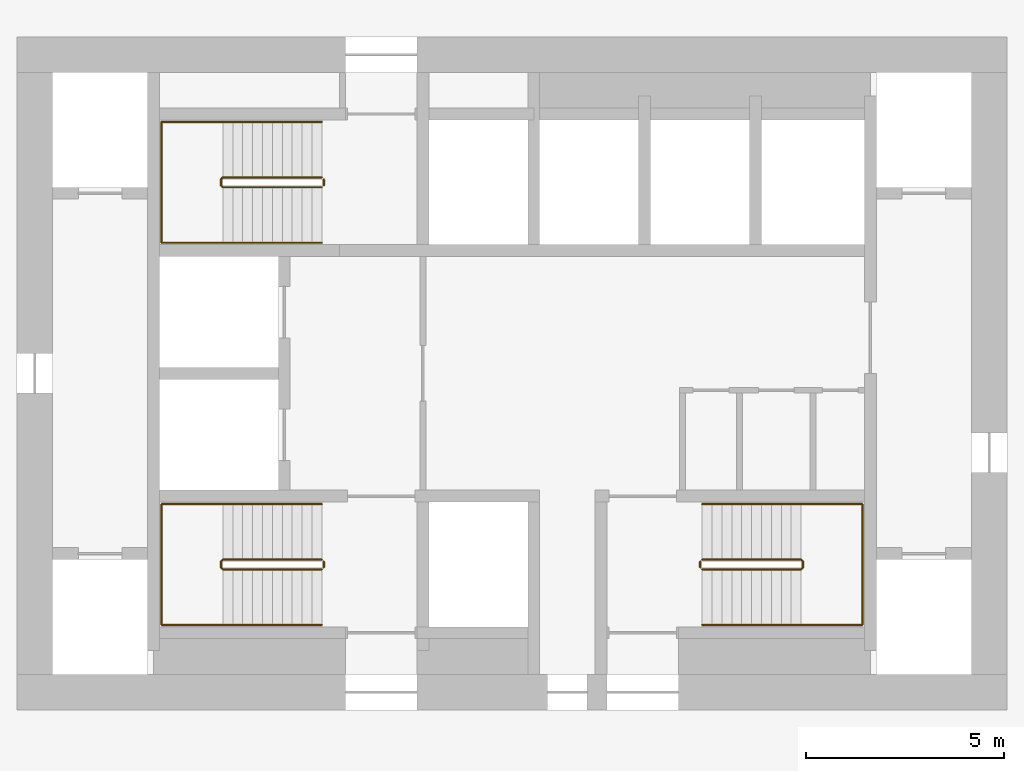
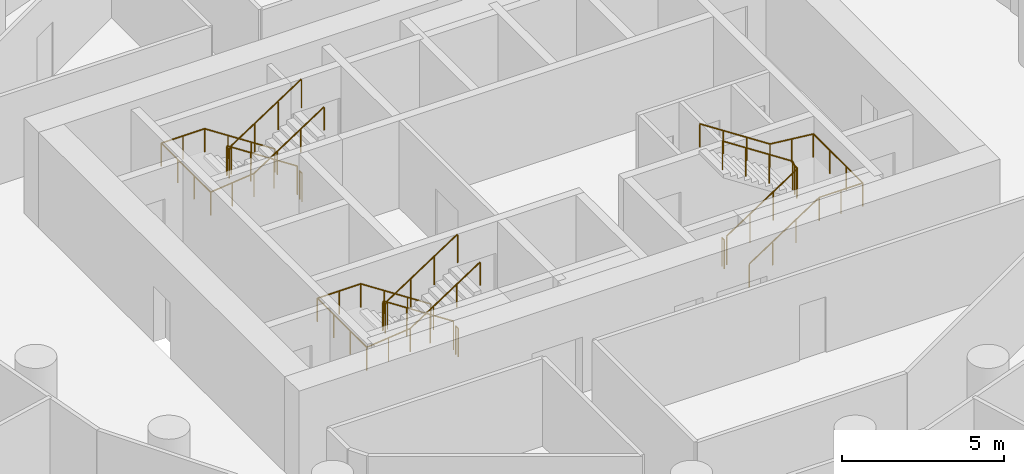
# One storey, part 10 of 10: 9 railings.
"""IFC4 building model written with IfcOpenShell, lengths in metres."""

from ifc_helpers import new_model, si_unit, direction, frame, origin, origin_2d, place, context, subcontext, project, spatial, circle, extrude, material, type_object, element, save


model = new_model("IFC4")

# Units and contexts
model_context = context("Model", 3, precision=1e-05, world=origin(), true_north=direction((0.0, 1.0)))
body_context = subcontext(model_context, "Body", "Model", "MODEL_VIEW")
ifc_project = project(units=[si_unit("LENGTHUNIT", "METRE"), si_unit("AREAUNIT", "SQUARE_METRE"), si_unit("VOLUMEUNIT", "CUBIC_METRE"), si_unit("PLANEANGLEUNIT", "RADIAN"), si_unit("MASSUNIT", "GRAM", prefix="KILO")], contexts=[model_context])

# Site, building, storey
site_placement = place(None, origin())
site = spatial("IfcSite", under=ifc_project, at=site_placement, CompositionType="ELEMENT")
building_placement = place(site_placement, origin())
building = spatial("IfcBuilding", under=site, at=building_placement, Name="Tracery Tower", CompositionType="ELEMENT")
storey_placement = place(building_placement, frame((0.0, 0.0, 158.39990234375)))
storey = spatial("IfcBuildingStorey", under=building, at=storey_placement, Name="L40", CompositionType="ELEMENT", Elevation=158.39990234375)

# Railings
ifc_material_1 = material(Name="Stainless steel and laminated glass", Category="steel")
railing_type_1 = type_object("IfcRailingType", Name="Stair guard 1100", PredefinedType="GUARDRAIL", material=ifc_material_1)
railing_1_placement = place(storey_placement, frame((-4.800048828125, -4.699951171875, 0.163818359375)))
element("IfcRailing", 1, at=railing_1_placement, inside=storey, type_object=railing_type_1, Name="L40 stair ST1 guard 1", PredefinedType="GUARDRAIL", context=body_context, shape_type="SweptSolid", body=[
    extrude(circle(Radius=0.02392578125, at=origin_2d()), frame((0.0, 0.0, 1.076171875), z_axis=(-0.836721939367, 0.0, 0.547627972425), x_axis=(0.0, -1.0, 0.0)), (0.0, 0.0, 1.0), 2.98779296875),
    extrude(circle(Radius=0.02392578125, at=origin_2d()), frame((-2.5, 0.0, 2.71240234375), z_axis=(-0.707106781187, -0.707106781187, 0.0), x_axis=(0.707106781187, -0.707106781187, 0.0)), (0.0, 0.0, 1.0), 0.07080078125),
    extrude(circle(Radius=0.02392578125, at=origin_2d()), frame((-2.550048828125, -0.050048828125, 2.71240234375), z_axis=(0.0, -1.0, 0.0), x_axis=(1.0, 0.0, 0.0)), (0.0, 0.0, 1.0), 0.14990234375),
    extrude(circle(Radius=0.02392578125, at=origin_2d()), frame((-2.550048828125, -0.199951171875, 2.71240234375), z_axis=(0.280808744504, -0.280808744504, 0.917765164963), x_axis=(0.707106781187, 0.707106781187, 0.0)), (0.0, 0.0, 1.0), 0.17822265625),
    extrude(circle(Radius=0.02392578125, at=origin_2d()), frame((-2.5, -0.25, 2.8759765625), z_axis=(0.83668449804, 0.0, 0.54768517484), x_axis=(0.0, 1.0, 0.0)), (0.0, 0.0, 1.0), 2.988037109375),
    extrude(circle(Radius=0.02099609375, at=origin_2d()), origin(), (0.0, 0.0, 1.0), 1.052001953125),
    extrude(circle(Radius=0.02099609375, at=origin_2d()), frame((-0.833251953125, 0.0, 0.54541015625)), (0.0, 0.0, 1.0), 1.052001953125),
    extrude(circle(Radius=0.02099609375, at=origin_2d()), frame((-1.666748046875, 0.0, 1.0908203125)), (0.0, 0.0, 1.0), 1.052001953125),
    extrude(circle(Radius=0.02099609375, at=origin_2d()), frame((-2.5, 0.0, 1.63623046875)), (0.0, 0.0, 1.0), 1.052001953125),
    extrude(circle(Radius=0.02099609375, at=origin_2d()), frame((-2.550048828125, -0.050048828125, 1.63623046875)), (0.0, 0.0, 1.0), 1.052001953125),
    extrude(circle(Radius=0.02099609375, at=origin_2d()), frame((-2.550048828125, -0.199951171875, 1.63623046875)), (0.0, 0.0, 1.0), 1.052001953125),
    extrude(circle(Radius=0.02099609375, at=origin_2d()), frame((-2.5, -0.25, 1.7998046875)), (0.0, 0.0, 1.0), 1.052001953125),
    extrude(circle(Radius=0.02099609375, at=origin_2d()), frame((-1.666748046875, -0.25, 2.34521484375)), (0.0, 0.0, 1.0), 1.052001953125),
    extrude(circle(Radius=0.02099609375, at=origin_2d()), frame((-0.833251953125, -0.25, 2.890869140625)), (0.0, 0.0, 1.0), 1.052001953125),
    extrude(circle(Radius=0.02099609375, at=origin_2d()), frame((0.0, -0.25, 3.436279296875)), (0.0, 0.0, 1.0), 1.052001953125),
])
railing_2_placement = place(storey_placement, frame((-4.75, -4.75, 0.0)))
element("IfcRailing", 2, at=railing_2_placement, inside=storey, type_object=railing_type_1, Name="L40 stair ST1 guard 2", PredefinedType="GUARDRAIL", context=body_context, shape_type="SweptSolid", body=[
    extrude(circle(Radius=0.02392578125, at=origin_2d()), frame((0.0, 0.0, 1.076171875), z_axis=(0.0, -1.0, 0.0), x_axis=(1.0, 0.0, 0.0)), (0.0, 0.0, 1.0), 0.14990234375),
    extrude(circle(Radius=0.02099609375, at=origin_2d()), origin(), (0.0, 0.0, 1.0), 1.052001953125),
    extrude(circle(Radius=0.02099609375, at=origin_2d()), frame((0.0, -0.14990234375, 0.0)), (0.0, 0.0, 1.0), 1.052001953125),
])
railing_3_placement = place(storey_placement, frame((-4.800048828125, 4.949951171875, 0.163818359375)))
element("IfcRailing", 3, at=railing_3_placement, inside=storey, type_object=railing_type_1, Name="L40 stair ST3 guard 1", PredefinedType="GUARDRAIL", context=body_context, shape_type="SweptSolid", body=[
    extrude(circle(Radius=0.02392578125, at=origin_2d()), frame((0.0, 0.0, 1.076171875), z_axis=(-0.836721939367, 0.0, 0.547627972425), x_axis=(0.0, -1.0, 0.0)), (0.0, 0.0, 1.0), 2.98779296875),
    extrude(circle(Radius=0.02392578125, at=origin_2d()), frame((-2.5, 0.0, 2.71240234375), z_axis=(-0.707106781187, -0.707106781187, 0.0), x_axis=(0.707106781187, -0.707106781187, 0.0)), (0.0, 0.0, 1.0), 0.07080078125),
    extrude(circle(Radius=0.02392578125, at=origin_2d()), frame((-2.550048828125, -0.050048828125, 2.71240234375), z_axis=(0.0, -1.0, 0.0), x_axis=(1.0, 0.0, 0.0)), (0.0, 0.0, 1.0), 0.14990234375),
    extrude(circle(Radius=0.02392578125, at=origin_2d()), frame((-2.550048828125, -0.199951171875, 2.71240234375), z_axis=(0.280808744504, -0.280808744504, 0.917765164963), x_axis=(0.707106781187, 0.707106781187, 0.0)), (0.0, 0.0, 1.0), 0.17822265625),
    extrude(circle(Radius=0.02392578125, at=origin_2d()), frame((-2.5, -0.25, 2.8759765625), z_axis=(0.83668449804, 0.0, 0.54768517484), x_axis=(0.0, 1.0, 0.0)), (0.0, 0.0, 1.0), 2.988037109375),
    extrude(circle(Radius=0.02099609375, at=origin_2d()), origin(), (0.0, 0.0, 1.0), 1.052001953125),
    extrude(circle(Radius=0.02099609375, at=origin_2d()), frame((-0.833251953125, 0.0, 0.54541015625)), (0.0, 0.0, 1.0), 1.052001953125),
    extrude(circle(Radius=0.02099609375, at=origin_2d()), frame((-1.666748046875, 0.0, 1.0908203125)), (0.0, 0.0, 1.0), 1.052001953125),
    extrude(circle(Radius=0.02099609375, at=origin_2d()), frame((-2.5, 0.0, 1.63623046875)), (0.0, 0.0, 1.0), 1.052001953125),
    extrude(circle(Radius=0.02099609375, at=origin_2d()), frame((-2.550048828125, -0.050048828125, 1.63623046875)), (0.0, 0.0, 1.0), 1.052001953125),
    extrude(circle(Radius=0.02099609375, at=origin_2d()), frame((-2.550048828125, -0.199951171875, 1.63623046875)), (0.0, 0.0, 1.0), 1.052001953125),
    extrude(circle(Radius=0.02099609375, at=origin_2d()), frame((-2.5, -0.25, 1.7998046875)), (0.0, 0.0, 1.0), 1.052001953125),
    extrude(circle(Radius=0.02099609375, at=origin_2d()), frame((-1.666748046875, -0.25, 2.34521484375)), (0.0, 0.0, 1.0), 1.052001953125),
    extrude(circle(Radius=0.02099609375, at=origin_2d()), frame((-0.833251953125, -0.25, 2.890869140625)), (0.0, 0.0, 1.0), 1.052001953125),
    extrude(circle(Radius=0.02099609375, at=origin_2d()), frame((0.0, -0.25, 3.436279296875)), (0.0, 0.0, 1.0), 1.052001953125),
])
railing_4_placement = place(storey_placement, frame((-4.75, 4.89990234375, 0.0)))
element("IfcRailing", 4, at=railing_4_placement, inside=storey, type_object=railing_type_1, Name="L40 stair ST3 guard 2", PredefinedType="GUARDRAIL", context=body_context, shape_type="SweptSolid", body=[
    extrude(circle(Radius=0.02392578125, at=origin_2d()), frame((0.0, 0.0, 1.076171875), z_axis=(0.0, -1.0, 0.0), x_axis=(1.0, 0.0, 0.0)), (0.0, 0.0, 1.0), 0.14990234375),
    extrude(circle(Radius=0.02099609375, at=origin_2d()), origin(), (0.0, 0.0, 1.0), 1.052001953125),
    extrude(circle(Radius=0.02099609375, at=origin_2d()), frame((0.0, -0.14990234375, 0.0)), (0.0, 0.0, 1.0), 1.052001953125),
])
railing_5_placement = place(storey_placement, frame((4.800048828125, -4.949951171875, 0.163818359375)))
element("IfcRailing", 5, at=railing_5_placement, inside=storey, type_object=railing_type_1, Name="L40 stair ST2 guard 1", PredefinedType="GUARDRAIL", context=body_context, shape_type="SweptSolid", body=[
    extrude(circle(Radius=0.02392578125, at=origin_2d()), frame((0.0, 0.0, 1.076171875), z_axis=(0.836721939367, 0.0, 0.547627972425), x_axis=(0.0, 1.0, 0.0)), (0.0, 0.0, 1.0), 2.98779296875),
    extrude(circle(Radius=0.02392578125, at=origin_2d()), frame((2.5, 0.0, 2.71240234375), z_axis=(0.707106781187, 0.707106781187, 0.0), x_axis=(-0.707106781187, 0.707106781187, 0.0)), (0.0, 0.0, 1.0), 0.07080078125),
    extrude(circle(Radius=0.02392578125, at=origin_2d()), frame((2.550048828125, 0.050048828125, 2.71240234375), z_axis=(0.0, 1.0, 0.0), x_axis=(-1.0, 0.0, 0.0)), (0.0, 0.0, 1.0), 0.14990234375),
    extrude(circle(Radius=0.02392578125, at=origin_2d()), frame((2.550048828125, 0.199951171875, 2.71240234375), z_axis=(-0.280808744504, 0.280808744504, 0.917765164963), x_axis=(-0.707106781187, -0.707106781187, 0.0)), (0.0, 0.0, 1.0), 0.17822265625),
    extrude(circle(Radius=0.02392578125, at=origin_2d()), frame((2.5, 0.25, 2.8759765625), z_axis=(-0.83668449804, 0.0, 0.54768517484), x_axis=(0.0, -1.0, 0.0)), (0.0, 0.0, 1.0), 2.988037109375),
    extrude(circle(Radius=0.02099609375, at=origin_2d()), origin(), (0.0, 0.0, 1.0), 1.052001953125),
    extrude(circle(Radius=0.02099609375, at=origin_2d()), frame((0.833251953125, 0.0, 0.54541015625)), (0.0, 0.0, 1.0), 1.052001953125),
    extrude(circle(Radius=0.02099609375, at=origin_2d()), frame((1.666748046875, 0.0, 1.0908203125)), (0.0, 0.0, 1.0), 1.052001953125),
    extrude(circle(Radius=0.02099609375, at=origin_2d()), frame((2.5, 0.0, 1.63623046875)), (0.0, 0.0, 1.0), 1.052001953125),
    extrude(circle(Radius=0.02099609375, at=origin_2d()), frame((2.550048828125, 0.050048828125, 1.63623046875)), (0.0, 0.0, 1.0), 1.052001953125),
    extrude(circle(Radius=0.02099609375, at=origin_2d()), frame((2.550048828125, 0.199951171875, 1.63623046875)), (0.0, 0.0, 1.0), 1.052001953125),
    extrude(circle(Radius=0.02099609375, at=origin_2d()), frame((2.5, 0.25, 1.7998046875)), (0.0, 0.0, 1.0), 1.052001953125),
    extrude(circle(Radius=0.02099609375, at=origin_2d()), frame((1.666748046875, 0.25, 2.34521484375)), (0.0, 0.0, 1.0), 1.052001953125),
    extrude(circle(Radius=0.02099609375, at=origin_2d()), frame((0.833251953125, 0.25, 2.890869140625)), (0.0, 0.0, 1.0), 1.052001953125),
    extrude(circle(Radius=0.02099609375, at=origin_2d()), frame((0.0, 0.25, 3.436279296875)), (0.0, 0.0, 1.0), 1.052001953125),
])
railing_6_placement = place(storey_placement, frame((4.75, -4.89990234375, 0.0)))
element("IfcRailing", 6, at=railing_6_placement, inside=storey, type_object=railing_type_1, Name="L40 stair ST2 guard 2", PredefinedType="GUARDRAIL", context=body_context, shape_type="SweptSolid", body=[
    extrude(circle(Radius=0.02392578125, at=origin_2d()), frame((0.0, 0.0, 1.076171875), z_axis=(0.0, 1.0, 0.0), x_axis=(-1.0, 0.0, 0.0)), (0.0, 0.0, 1.0), 0.14990234375),
    extrude(circle(Radius=0.02099609375, at=origin_2d()), origin(), (0.0, 0.0, 1.0), 1.052001953125),
    extrude(circle(Radius=0.02099609375, at=origin_2d()), frame((0.0, 0.14990234375, 0.0)), (0.0, 0.0, 1.0), 1.052001953125),
])
ifc_material_2 = material(Name="Stainless steel and laminated glass", Category="steel")
railing_type_2 = type_object("IfcRailingType", Name="Stair handrail 900", PredefinedType="HANDRAIL", material=ifc_material_2)
railing_7_placement = place(storey_placement, frame((-4.800048828125, -3.300048828125, 0.163818359375)))
element("IfcRailing", 7, at=railing_7_placement, inside=storey, type_object=railing_type_2, Name="L40 stair ST1 handrail 1", PredefinedType="HANDRAIL", context=body_context, shape_type="SweptSolid", body=[
    extrude(circle(Radius=0.02392578125, at=origin_2d()), frame((0.0, 0.0, 0.8759765625), z_axis=(-0.836721939367, 0.0, 0.547627972425), x_axis=(0.0, -1.0, 0.0)), (0.0, 0.0, 1.0), 2.98779296875),
    extrude(circle(Radius=0.02392578125, at=origin_2d()), frame((-2.5, 0.0, 2.51220703125), z_axis=(-1.0, 0.0, 0.0), x_axis=(0.0, -1.0, 0.0)), (0.0, 0.0, 1.0), 1.550048828125),
    extrude(circle(Radius=0.02392578125, at=origin_2d()), frame((-4.050048828125, 0.0, 2.51220703125), z_axis=(0.0, -1.0, 0.0), x_axis=(1.0, 0.0, 0.0)), (0.0, 0.0, 1.0), 3.050048828125),
    extrude(circle(Radius=0.02392578125, at=origin_2d()), frame((-4.050048828125, -3.050048828125, 2.51220703125), z_axis=(0.994477953863, 0.0, 0.104945696817), x_axis=(0.0, 1.0, 0.0)), (0.0, 0.0, 1.0), 1.55859375),
    extrude(circle(Radius=0.02392578125, at=origin_2d()), frame((-2.5, -3.050048828125, 2.67578125), z_axis=(0.83668449804, 0.0, 0.54768517484), x_axis=(0.0, 1.0, 0.0)), (0.0, 0.0, 1.0), 2.988037109375),
    extrude(circle(Radius=0.02099609375, at=origin_2d()), origin(), (0.0, 0.0, 1.0), 0.851806640625),
    extrude(circle(Radius=0.02099609375, at=origin_2d()), frame((-0.833251953125, 0.0, 0.54541015625)), (0.0, 0.0, 1.0), 0.851806640625),
    extrude(circle(Radius=0.02099609375, at=origin_2d()), frame((-1.666748046875, 0.0, 1.0908203125)), (0.0, 0.0, 1.0), 0.851806640625),
    extrude(circle(Radius=0.02099609375, at=origin_2d()), frame((-2.5, 0.0, 1.63623046875)), (0.0, 0.0, 1.0), 0.851806640625),
    extrude(circle(Radius=0.02099609375, at=origin_2d()), frame((-3.27490234375, 0.0, 1.63623046875)), (0.0, 0.0, 1.0), 0.851806640625),
    extrude(circle(Radius=0.02099609375, at=origin_2d()), frame((-4.050048828125, 0.0, 1.63623046875)), (0.0, 0.0, 1.0), 0.851806640625),
    extrude(circle(Radius=0.02099609375, at=origin_2d()), frame((-4.050048828125, -1.0166015625, 1.63623046875)), (0.0, 0.0, 1.0), 0.851806640625),
    extrude(circle(Radius=0.02099609375, at=origin_2d()), frame((-4.050048828125, -2.033447265625, 1.63623046875)), (0.0, 0.0, 1.0), 0.851806640625),
    extrude(circle(Radius=0.02099609375, at=origin_2d()), frame((-4.050048828125, -3.050048828125, 1.63623046875)), (0.0, 0.0, 1.0), 0.851806640625),
    extrude(circle(Radius=0.02099609375, at=origin_2d()), frame((-3.27490234375, -3.050048828125, 1.718017578125)), (0.0, 0.0, 1.0), 0.851806640625),
    extrude(circle(Radius=0.02099609375, at=origin_2d()), frame((-2.5, -3.050048828125, 1.7998046875)), (0.0, 0.0, 1.0), 0.851806640625),
    extrude(circle(Radius=0.02099609375, at=origin_2d()), frame((-1.666748046875, -3.050048828125, 2.34521484375)), (0.0, 0.0, 1.0), 0.851806640625),
    extrude(circle(Radius=0.02099609375, at=origin_2d()), frame((-0.833251953125, -3.050048828125, 2.890869140625)), (0.0, 0.0, 1.0), 0.851806640625),
    extrude(circle(Radius=0.02099609375, at=origin_2d()), frame((0.0, -3.050048828125, 3.436279296875)), (0.0, 0.0, 1.0), 0.851806640625),
])
railing_8_placement = place(storey_placement, frame((-4.800048828125, 6.35009765625, 0.163818359375)))
element("IfcRailing", 8, at=railing_8_placement, inside=storey, type_object=railing_type_2, Name="L40 stair ST3 handrail 1", PredefinedType="HANDRAIL", context=body_context, shape_type="SweptSolid", body=[
    extrude(circle(Radius=0.02392578125, at=origin_2d()), frame((0.0, 0.0, 0.8759765625), z_axis=(-0.836721939367, 0.0, 0.547627972425), x_axis=(0.0, -1.0, 0.0)), (0.0, 0.0, 1.0), 2.98779296875),
    extrude(circle(Radius=0.02392578125, at=origin_2d()), frame((-2.5, 0.0, 2.51220703125), z_axis=(-1.0, 0.0, 0.0), x_axis=(0.0, -1.0, 0.0)), (0.0, 0.0, 1.0), 1.550048828125),
    extrude(circle(Radius=0.02392578125, at=origin_2d()), frame((-4.050048828125, 0.0, 2.51220703125), z_axis=(0.0, -1.0, 0.0), x_axis=(1.0, 0.0, 0.0)), (0.0, 0.0, 1.0), 3.050048828125),
    extrude(circle(Radius=0.02392578125, at=origin_2d()), frame((-4.050048828125, -3.050048828125, 2.51220703125), z_axis=(0.994477953863, 0.0, 0.104945696817), x_axis=(0.0, 1.0, 0.0)), (0.0, 0.0, 1.0), 1.55859375),
    extrude(circle(Radius=0.02392578125, at=origin_2d()), frame((-2.5, -3.050048828125, 2.67578125), z_axis=(0.83668449804, 0.0, 0.54768517484), x_axis=(0.0, 1.0, 0.0)), (0.0, 0.0, 1.0), 2.988037109375),
    extrude(circle(Radius=0.02099609375, at=origin_2d()), origin(), (0.0, 0.0, 1.0), 0.851806640625),
    extrude(circle(Radius=0.02099609375, at=origin_2d()), frame((-0.833251953125, 0.0, 0.54541015625)), (0.0, 0.0, 1.0), 0.851806640625),
    extrude(circle(Radius=0.02099609375, at=origin_2d()), frame((-1.666748046875, 0.0, 1.0908203125)), (0.0, 0.0, 1.0), 0.851806640625),
    extrude(circle(Radius=0.02099609375, at=origin_2d()), frame((-2.5, 0.0, 1.63623046875)), (0.0, 0.0, 1.0), 0.851806640625),
    extrude(circle(Radius=0.02099609375, at=origin_2d()), frame((-3.27490234375, 0.0, 1.63623046875)), (0.0, 0.0, 1.0), 0.851806640625),
    extrude(circle(Radius=0.02099609375, at=origin_2d()), frame((-4.050048828125, 0.0, 1.63623046875)), (0.0, 0.0, 1.0), 0.851806640625),
    extrude(circle(Radius=0.02099609375, at=origin_2d()), frame((-4.050048828125, -1.0166015625, 1.63623046875)), (0.0, 0.0, 1.0), 0.851806640625),
    extrude(circle(Radius=0.02099609375, at=origin_2d()), frame((-4.050048828125, -2.033447265625, 1.63623046875)), (0.0, 0.0, 1.0), 0.851806640625),
    extrude(circle(Radius=0.02099609375, at=origin_2d()), frame((-4.050048828125, -3.050048828125, 1.63623046875)), (0.0, 0.0, 1.0), 0.851806640625),
    extrude(circle(Radius=0.02099609375, at=origin_2d()), frame((-3.27490234375, -3.050048828125, 1.718017578125)), (0.0, 0.0, 1.0), 0.851806640625),
    extrude(circle(Radius=0.02099609375, at=origin_2d()), frame((-2.5, -3.050048828125, 1.7998046875)), (0.0, 0.0, 1.0), 0.851806640625),
    extrude(circle(Radius=0.02099609375, at=origin_2d()), frame((-1.666748046875, -3.050048828125, 2.34521484375)), (0.0, 0.0, 1.0), 0.851806640625),
    extrude(circle(Radius=0.02099609375, at=origin_2d()), frame((-0.833251953125, -3.050048828125, 2.890869140625)), (0.0, 0.0, 1.0), 0.851806640625),
    extrude(circle(Radius=0.02099609375, at=origin_2d()), frame((0.0, -3.050048828125, 3.436279296875)), (0.0, 0.0, 1.0), 0.851806640625),
])
railing_9_placement = place(storey_placement, frame((4.800048828125, -6.35009765625, 0.163818359375)))
element("IfcRailing", 9, at=railing_9_placement, inside=storey, type_object=railing_type_2, Name="L40 stair ST2 handrail 1", PredefinedType="HANDRAIL", context=body_context, shape_type="SweptSolid", body=[
    extrude(circle(Radius=0.02392578125, at=origin_2d()), frame((0.0, 0.0, 0.8759765625), z_axis=(0.836721939367, 0.0, 0.547627972425), x_axis=(0.0, 1.0, 0.0)), (0.0, 0.0, 1.0), 2.98779296875),
    extrude(circle(Radius=0.02392578125, at=origin_2d()), frame((2.5, 0.0, 2.51220703125), z_axis=(1.0, 0.0, 0.0), x_axis=(0.0, 1.0, 0.0)), (0.0, 0.0, 1.0), 1.550048828125),
    extrude(circle(Radius=0.02392578125, at=origin_2d()), frame((4.050048828125, 0.0, 2.51220703125), z_axis=(0.0, 1.0, 0.0), x_axis=(-1.0, 0.0, 0.0)), (0.0, 0.0, 1.0), 3.050048828125),
    extrude(circle(Radius=0.02392578125, at=origin_2d()), frame((4.050048828125, 3.050048828125, 2.51220703125), z_axis=(-0.994477953863, 0.0, 0.104945696817), x_axis=(0.0, -1.0, 0.0)), (0.0, 0.0, 1.0), 1.55859375),
    extrude(circle(Radius=0.02392578125, at=origin_2d()), frame((2.5, 3.050048828125, 2.67578125), z_axis=(-0.83668449804, 0.0, 0.54768517484), x_axis=(0.0, -1.0, 0.0)), (0.0, 0.0, 1.0), 2.988037109375),
    extrude(circle(Radius=0.02099609375, at=origin_2d()), origin(), (0.0, 0.0, 1.0), 0.851806640625),
    extrude(circle(Radius=0.02099609375, at=origin_2d()), frame((0.833251953125, 0.0, 0.54541015625)), (0.0, 0.0, 1.0), 0.851806640625),
    extrude(circle(Radius=0.02099609375, at=origin_2d()), frame((1.666748046875, 0.0, 1.0908203125)), (0.0, 0.0, 1.0), 0.851806640625),
    extrude(circle(Radius=0.02099609375, at=origin_2d()), frame((2.5, 0.0, 1.63623046875)), (0.0, 0.0, 1.0), 0.851806640625),
    extrude(circle(Radius=0.02099609375, at=origin_2d()), frame((3.27490234375, 0.0, 1.63623046875)), (0.0, 0.0, 1.0), 0.851806640625),
    extrude(circle(Radius=0.02099609375, at=origin_2d()), frame((4.050048828125, 0.0, 1.63623046875)), (0.0, 0.0, 1.0), 0.851806640625),
    extrude(circle(Radius=0.02099609375, at=origin_2d()), frame((4.050048828125, 1.0166015625, 1.63623046875)), (0.0, 0.0, 1.0), 0.851806640625),
    extrude(circle(Radius=0.02099609375, at=origin_2d()), frame((4.050048828125, 2.033447265625, 1.63623046875)), (0.0, 0.0, 1.0), 0.851806640625),
    extrude(circle(Radius=0.02099609375, at=origin_2d()), frame((4.050048828125, 3.050048828125, 1.63623046875)), (0.0, 0.0, 1.0), 0.851806640625),
    extrude(circle(Radius=0.02099609375, at=origin_2d()), frame((3.27490234375, 3.050048828125, 1.718017578125)), (0.0, 0.0, 1.0), 0.851806640625),
    extrude(circle(Radius=0.02099609375, at=origin_2d()), frame((2.5, 3.050048828125, 1.7998046875)), (0.0, 0.0, 1.0), 0.851806640625),
    extrude(circle(Radius=0.02099609375, at=origin_2d()), frame((1.666748046875, 3.050048828125, 2.34521484375)), (0.0, 0.0, 1.0), 0.851806640625),
    extrude(circle(Radius=0.02099609375, at=origin_2d()), frame((0.833251953125, 3.050048828125, 2.890869140625)), (0.0, 0.0, 1.0), 0.851806640625),
    extrude(circle(Radius=0.02099609375, at=origin_2d()), frame((0.0, 3.050048828125, 3.436279296875)), (0.0, 0.0, 1.0), 0.851806640625),
])

save(model, "model.ifc")
